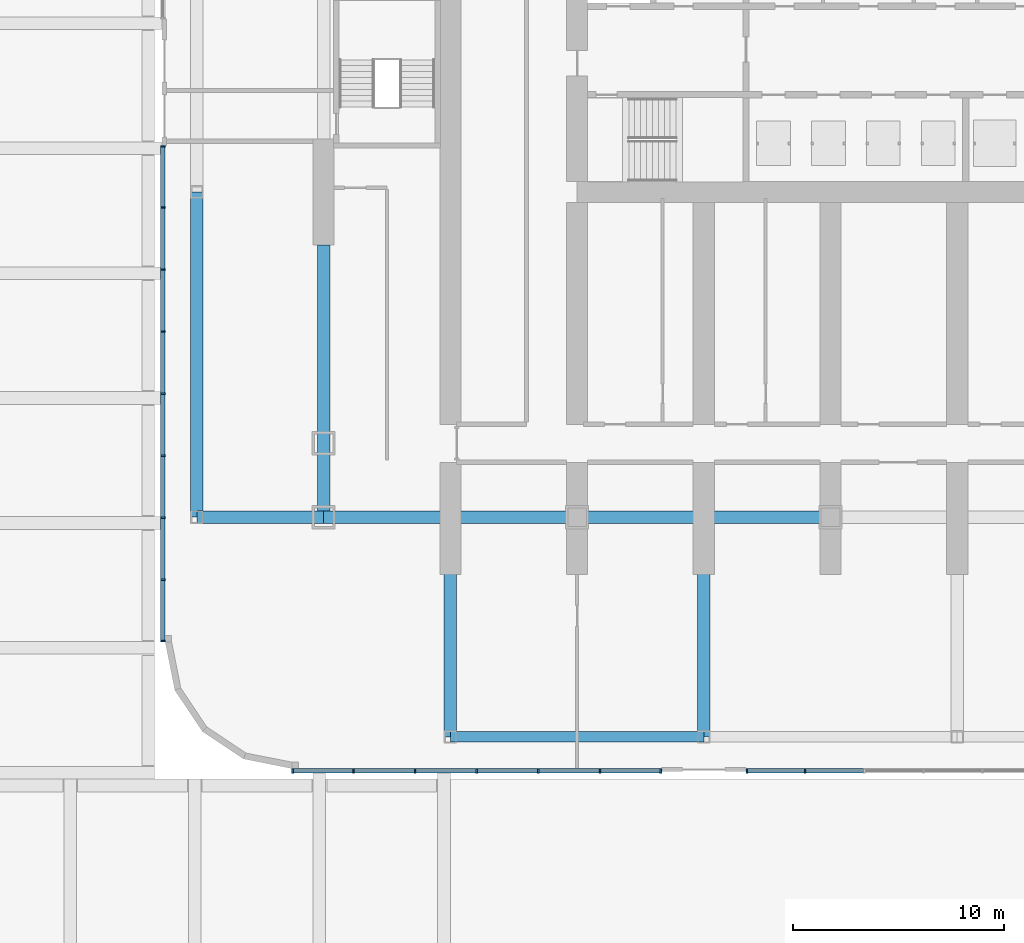
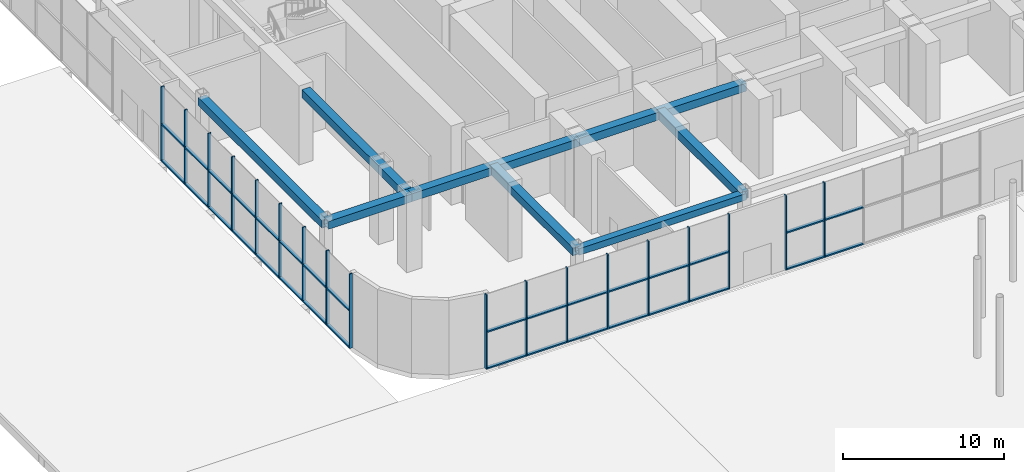
# One storey, part 7 of 57: 50 members, 8 beams, 3 elements without a shape of their own.
"""IFC4 building model written with IfcOpenShell, lengths in metres."""

from ifc_helpers import new_model, si_unit, direction, frame, origin, origin_2d, place, context, subcontext, project, spatial, rectangle, hollow_rectangle, extrude, material, material_profile, profile_set, type_object, element, aggregate, save


model = new_model("IFC4")

# Units and contexts
model_context = context("Model", 3, precision=1e-05, world=origin(), true_north=direction((0.0, 1.0)))
body_context = subcontext(model_context, "Body", "Model", "MODEL_VIEW")
ifc_project = project(units=[si_unit("LENGTHUNIT", "METRE"), si_unit("AREAUNIT", "SQUARE_METRE"), si_unit("VOLUMEUNIT", "CUBIC_METRE"), si_unit("PLANEANGLEUNIT", "RADIAN"), si_unit("MASSUNIT", "GRAM", prefix="KILO")], contexts=[model_context])

# Site, building, storey
site_placement = place(None, origin())
site = spatial("IfcSite", under=ifc_project, at=site_placement, CompositionType="ELEMENT")
building_placement = place(site_placement, origin())
building = spatial("IfcBuilding", under=site, at=building_placement, Name="Orbita Commons", CompositionType="ELEMENT")
storey_placement = place(building_placement, origin())
storey = spatial("IfcBuildingStorey", under=building, at=storey_placement, Name="L00", CompositionType="ELEMENT", Elevation=0.0)

# Curtain wall, members
ifc_material_1 = material(Name="Anodised aluminium frame, pale silver", Category="aluminium")
curtain_wall_type = type_object("IfcCurtainWallType", Name="Lobby curtain wall CW-L", PredefinedType="NOTDEFINED", material=ifc_material_1)
curtain_wall_1_placement = place(storey_placement, origin())
curtain_wall_1 = element("IfcCurtainWall", 1, at=curtain_wall_1_placement, inside=storey, type_object=curtain_wall_type, Name="Curtain wall S 1 L00", PredefinedType="NOTDEFINED")
ifc_material_2 = material(Name="Anodised aluminium, pale silver", Category="aluminium")
ifc_material_profile_1 = material_profile(ifc_material_2, rectangle(XDim=0.080078125, YDim=0.219970703125, at=origin_2d()), Name="AL 80x220")
ifc_profile_set_1 = profile_set([ifc_material_profile_1], Name="Anodised aluminium, pale silver")
member_type_1 = type_object("IfcMemberType", Name="Curtain wall mullion 80x220", PredefinedType="MULLION", material=ifc_profile_set_1)
member_1_placement = place(storey_placement, frame((4.5400390625, -1.610107421875, 0.0), z_axis=(0.0, 0.0, 1.0), x_axis=(1.0, 0.0, 0.0)))
member_1 = element("IfcMember", 2, at=member_1_placement, type_object=member_type_1, Name="Mullion 1 CW-L00-S0", PredefinedType="MULLION", context=body_context, shape_type="SweptSolid", body=[
    extrude(rectangle(XDim=0.080078125, YDim=0.219970703125, at=origin_2d()), origin(), (0.0, 0.0, 1.0), 5.64990234375),
])
member_2_placement = place(storey_placement, frame((7.416748046875, -1.610107421875, 0.0), z_axis=(0.0, 0.0, 1.0), x_axis=(1.0, 0.0, 0.0)))
member_2 = element("IfcMember", 3, at=member_2_placement, type_object=member_type_1, Name="Mullion 2 CW-L00-S0", PredefinedType="MULLION", context=body_context, shape_type="SweptSolid", body=[
    extrude(rectangle(XDim=0.080078125, YDim=0.219970703125, at=origin_2d()), origin(), (0.0, 0.0, 1.0), 5.64990234375),
])
member_3_placement = place(storey_placement, frame((10.333251953125, -1.610107421875, 0.0), z_axis=(0.0, 0.0, 1.0), x_axis=(1.0, 0.0, 0.0)))
member_3 = element("IfcMember", 4, at=member_3_placement, type_object=member_type_1, Name="Mullion 3 CW-L00-S0", PredefinedType="MULLION", context=body_context, shape_type="SweptSolid", body=[
    extrude(rectangle(XDim=0.080078125, YDim=0.219970703125, at=origin_2d()), origin(), (0.0, 0.0, 1.0), 5.64990234375),
])
member_4_placement = place(storey_placement, frame((13.25, -1.610107421875, 0.0), z_axis=(0.0, 0.0, 1.0), x_axis=(1.0, 0.0, 0.0)))
member_4 = element("IfcMember", 5, at=member_4_placement, type_object=member_type_1, Name="Mullion 4 CW-L00-S0", PredefinedType="MULLION", context=body_context, shape_type="SweptSolid", body=[
    extrude(rectangle(XDim=0.080078125, YDim=0.219970703125, at=origin_2d()), origin(), (0.0, 0.0, 1.0), 5.64990234375),
])
member_5_placement = place(storey_placement, frame((16.166748046875, -1.610107421875, 0.0), z_axis=(0.0, 0.0, 1.0), x_axis=(1.0, 0.0, 0.0)))
member_5 = element("IfcMember", 6, at=member_5_placement, type_object=member_type_1, Name="Mullion 5 CW-L00-S0", PredefinedType="MULLION", context=body_context, shape_type="SweptSolid", body=[
    extrude(rectangle(XDim=0.080078125, YDim=0.219970703125, at=origin_2d()), origin(), (0.0, 0.0, 1.0), 5.64990234375),
])
member_6_placement = place(storey_placement, frame((19.083251953125, -1.610107421875, 0.0), z_axis=(0.0, 0.0, 1.0), x_axis=(1.0, 0.0, 0.0)))
member_6 = element("IfcMember", 7, at=member_6_placement, type_object=member_type_1, Name="Mullion 6 CW-L00-S0", PredefinedType="MULLION", context=body_context, shape_type="SweptSolid", body=[
    extrude(rectangle(XDim=0.080078125, YDim=0.219970703125, at=origin_2d()), origin(), (0.0, 0.0, 1.0), 5.64990234375),
])
member_7_placement = place(storey_placement, frame((21.9599609375, -1.610107421875, 0.0), z_axis=(0.0, 0.0, 1.0), x_axis=(1.0, 0.0, 0.0)))
member_7 = element("IfcMember", 8, at=member_7_placement, type_object=member_type_1, Name="Mullion 7 CW-L00-S0", PredefinedType="MULLION", context=body_context, shape_type="SweptSolid", body=[
    extrude(rectangle(XDim=0.080078125, YDim=0.219970703125, at=origin_2d()), origin(), (0.0, 0.0, 1.0), 5.64990234375),
])

curtain_wall_2_placement = place(storey_placement, origin())
curtain_wall_2 = element("IfcCurtainWall", 9, at=curtain_wall_2_placement, inside=storey, type_object=curtain_wall_type, Name="Curtain wall S 2 L00", PredefinedType="NOTDEFINED")
member_8_placement = place(storey_placement, frame((26.0400390625, -1.610107421875, 0.0), z_axis=(0.0, 0.0, 1.0), x_axis=(1.0, 0.0, 0.0)))
member_8 = element("IfcMember", 10, at=member_8_placement, type_object=member_type_1, Name="Mullion 1 CW-L00-S1", PredefinedType="MULLION", context=body_context, shape_type="SweptSolid", body=[
    extrude(rectangle(XDim=0.080078125, YDim=0.219970703125, at=origin_2d()), origin(), (0.0, 0.0, 1.0), 5.64990234375),
])
member_9_placement = place(storey_placement, frame((28.800048828125, -1.610107421875, 0.0), z_axis=(0.0, 0.0, 1.0), x_axis=(1.0, 0.0, 0.0)))
member_9 = element("IfcMember", 11, at=member_9_placement, type_object=member_type_1, Name="Mullion 2 CW-L00-S1", PredefinedType="MULLION", context=body_context, shape_type="SweptSolid", body=[
    extrude(rectangle(XDim=0.080078125, YDim=0.219970703125, at=origin_2d()), origin(), (0.0, 0.0, 1.0), 5.64990234375),
])

curtain_wall_3_placement = place(storey_placement, origin())
curtain_wall_3 = element("IfcCurtainWall", 12, at=curtain_wall_3_placement, inside=storey, type_object=curtain_wall_type, Name="Curtain wall W 2 L00", PredefinedType="NOTDEFINED")
member_10_placement = place(storey_placement, frame((-1.610107421875, 27.9599609375, 0.0), z_axis=(0.0, 0.0, 1.0), x_axis=(0.0, -1.0, 0.0)))
member_10 = element("IfcMember", 13, at=member_10_placement, type_object=member_type_1, Name="Mullion 1 CW-L00-W1", PredefinedType="MULLION", context=body_context, shape_type="SweptSolid", body=[
    extrude(rectangle(XDim=0.080078125, YDim=0.219970703125, at=origin_2d()), origin(), (0.0, 0.0, 1.0), 5.64990234375),
])
member_11_placement = place(storey_placement, frame((-1.610107421875, 25.0625, 0.0), z_axis=(0.0, 0.0, 1.0), x_axis=(0.0, -1.0, 0.0)))
member_11 = element("IfcMember", 14, at=member_11_placement, type_object=member_type_1, Name="Mullion 2 CW-L00-W1", PredefinedType="MULLION", context=body_context, shape_type="SweptSolid", body=[
    extrude(rectangle(XDim=0.080078125, YDim=0.219970703125, at=origin_2d()), origin(), (0.0, 0.0, 1.0), 5.64990234375),
])
member_12_placement = place(storey_placement, frame((-1.610107421875, 22.125, 0.0), z_axis=(0.0, 0.0, 1.0), x_axis=(0.0, -1.0, 0.0)))
member_12 = element("IfcMember", 15, at=member_12_placement, type_object=member_type_1, Name="Mullion 3 CW-L00-W1", PredefinedType="MULLION", context=body_context, shape_type="SweptSolid", body=[
    extrude(rectangle(XDim=0.080078125, YDim=0.219970703125, at=origin_2d()), origin(), (0.0, 0.0, 1.0), 5.64990234375),
])
member_13_placement = place(storey_placement, frame((-1.610107421875, 19.1875, 0.0), z_axis=(0.0, 0.0, 1.0), x_axis=(0.0, -1.0, 0.0)))
member_13 = element("IfcMember", 16, at=member_13_placement, type_object=member_type_1, Name="Mullion 4 CW-L00-W1", PredefinedType="MULLION", context=body_context, shape_type="SweptSolid", body=[
    extrude(rectangle(XDim=0.080078125, YDim=0.219970703125, at=origin_2d()), origin(), (0.0, 0.0, 1.0), 5.64990234375),
])
member_14_placement = place(storey_placement, frame((-1.610107421875, 16.25, 0.0), z_axis=(0.0, 0.0, 1.0), x_axis=(0.0, -1.0, 0.0)))
member_14 = element("IfcMember", 17, at=member_14_placement, type_object=member_type_1, Name="Mullion 5 CW-L00-W1", PredefinedType="MULLION", context=body_context, shape_type="SweptSolid", body=[
    extrude(rectangle(XDim=0.080078125, YDim=0.219970703125, at=origin_2d()), origin(), (0.0, 0.0, 1.0), 5.64990234375),
])
member_15_placement = place(storey_placement, frame((-1.610107421875, 13.3125, 0.0), z_axis=(0.0, 0.0, 1.0), x_axis=(0.0, -1.0, 0.0)))
member_15 = element("IfcMember", 18, at=member_15_placement, type_object=member_type_1, Name="Mullion 6 CW-L00-W1", PredefinedType="MULLION", context=body_context, shape_type="SweptSolid", body=[
    extrude(rectangle(XDim=0.080078125, YDim=0.219970703125, at=origin_2d()), origin(), (0.0, 0.0, 1.0), 5.64990234375),
])
member_16_placement = place(storey_placement, frame((-1.610107421875, 10.375, 0.0), z_axis=(0.0, 0.0, 1.0), x_axis=(0.0, -1.0, 0.0)))
member_16 = element("IfcMember", 19, at=member_16_placement, type_object=member_type_1, Name="Mullion 7 CW-L00-W1", PredefinedType="MULLION", context=body_context, shape_type="SweptSolid", body=[
    extrude(rectangle(XDim=0.080078125, YDim=0.219970703125, at=origin_2d()), origin(), (0.0, 0.0, 1.0), 5.64990234375),
])
member_17_placement = place(storey_placement, frame((-1.610107421875, 7.4375, 0.0), z_axis=(0.0, 0.0, 1.0), x_axis=(0.0, -1.0, 0.0)))
member_17 = element("IfcMember", 20, at=member_17_placement, type_object=member_type_1, Name="Mullion 8 CW-L00-W1", PredefinedType="MULLION", context=body_context, shape_type="SweptSolid", body=[
    extrude(rectangle(XDim=0.080078125, YDim=0.219970703125, at=origin_2d()), origin(), (0.0, 0.0, 1.0), 5.64990234375),
])
member_18_placement = place(storey_placement, frame((-1.610107421875, 4.5400390625, 0.0), z_axis=(0.0, 0.0, 1.0), x_axis=(0.0, -1.0, 0.0)))
member_18 = element("IfcMember", 21, at=member_18_placement, type_object=member_type_1, Name="Mullion 9 CW-L00-W1", PredefinedType="MULLION", context=body_context, shape_type="SweptSolid", body=[
    extrude(rectangle(XDim=0.080078125, YDim=0.219970703125, at=origin_2d()), origin(), (0.0, 0.0, 1.0), 5.64990234375),
])

# Member
ifc_material_3 = material(Name="Anodised aluminium, pale silver", Category="aluminium")
ifc_material_profile_2 = material_profile(ifc_material_3, rectangle(XDim=0.219970703125, YDim=0.10009765625, at=origin_2d()), Name="AL 220x100")
ifc_profile_set_2 = profile_set([ifc_material_profile_2], Name="Anodised aluminium, pale silver")
member_type_2 = type_object("IfcMemberType", Name="Curtain wall stack transom 220x100", PredefinedType="USERDEFINED", material=ifc_profile_set_2)
member_19_placement = place(storey_placement, frame((4.580078125, -1.610107421875, 0.050048828125), z_axis=(1.0, 0.0, 0.0), x_axis=(0.0, 1.0, 0.0)))
member_19 = element("IfcMember", 22, at=member_19_placement, type_object=member_type_2, Name="Transom 1.1 CW-L00-S0", ObjectType="TRANSOM", PredefinedType="USERDEFINED", context=body_context, shape_type="SweptSolid", body=[
    extrude(rectangle(XDim=0.219970703125, YDim=0.10009765625, at=origin_2d()), origin(), (0.0, 0.0, 1.0), 2.796630859375),
])

member_20_placement = place(storey_placement, frame((4.580078125, -1.610107421875, 2.824951171875), z_axis=(1.0, 0.0, 0.0), x_axis=(0.0, 1.0, 0.0)))
member_20 = element("IfcMember", 23, at=member_20_placement, type_object=member_type_2, Name="Transom 1.2 CW-L00-S0", ObjectType="TRANSOM", PredefinedType="USERDEFINED", context=body_context, shape_type="SweptSolid", body=[
    extrude(rectangle(XDim=0.219970703125, YDim=0.10009765625, at=origin_2d()), origin(), (0.0, 0.0, 1.0), 2.796630859375),
])

member_21_placement = place(storey_placement, frame((7.456787109375, -1.610107421875, 0.050048828125), z_axis=(1.0, 0.0, 0.0), x_axis=(0.0, 1.0, 0.0)))
member_21 = element("IfcMember", 24, at=member_21_placement, type_object=member_type_2, Name="Transom 2.1 CW-L00-S0", ObjectType="TRANSOM", PredefinedType="USERDEFINED", context=body_context, shape_type="SweptSolid", body=[
    extrude(rectangle(XDim=0.219970703125, YDim=0.10009765625, at=origin_2d()), origin(), (0.0, 0.0, 1.0), 2.83642578125),
])

member_22_placement = place(storey_placement, frame((7.456787109375, -1.610107421875, 2.824951171875), z_axis=(1.0, 0.0, 0.0), x_axis=(0.0, 1.0, 0.0)))
member_22 = element("IfcMember", 25, at=member_22_placement, type_object=member_type_2, Name="Transom 2.2 CW-L00-S0", ObjectType="TRANSOM", PredefinedType="USERDEFINED", context=body_context, shape_type="SweptSolid", body=[
    extrude(rectangle(XDim=0.219970703125, YDim=0.10009765625, at=origin_2d()), origin(), (0.0, 0.0, 1.0), 2.83642578125),
])

member_23_placement = place(storey_placement, frame((10.373291015625, -1.610107421875, 0.050048828125), z_axis=(1.0, 0.0, 0.0), x_axis=(0.0, 1.0, 0.0)))
member_23 = element("IfcMember", 26, at=member_23_placement, type_object=member_type_2, Name="Transom 3.1 CW-L00-S0", ObjectType="TRANSOM", PredefinedType="USERDEFINED", context=body_context, shape_type="SweptSolid", body=[
    extrude(rectangle(XDim=0.219970703125, YDim=0.10009765625, at=origin_2d()), origin(), (0.0, 0.0, 1.0), 2.836669921875),
])

member_24_placement = place(storey_placement, frame((10.373291015625, -1.610107421875, 2.824951171875), z_axis=(1.0, 0.0, 0.0), x_axis=(0.0, 1.0, 0.0)))
member_24 = element("IfcMember", 27, at=member_24_placement, type_object=member_type_2, Name="Transom 3.2 CW-L00-S0", ObjectType="TRANSOM", PredefinedType="USERDEFINED", context=body_context, shape_type="SweptSolid", body=[
    extrude(rectangle(XDim=0.219970703125, YDim=0.10009765625, at=origin_2d()), origin(), (0.0, 0.0, 1.0), 2.836669921875),
])

member_25_placement = place(storey_placement, frame((13.2900390625, -1.610107421875, 0.050048828125), z_axis=(1.0, 0.0, 0.0), x_axis=(0.0, 1.0, 0.0)))
member_25 = element("IfcMember", 28, at=member_25_placement, type_object=member_type_2, Name="Transom 4.1 CW-L00-S0", ObjectType="TRANSOM", PredefinedType="USERDEFINED", context=body_context, shape_type="SweptSolid", body=[
    extrude(rectangle(XDim=0.219970703125, YDim=0.10009765625, at=origin_2d()), origin(), (0.0, 0.0, 1.0), 2.836669921875),
])

member_26_placement = place(storey_placement, frame((13.2900390625, -1.610107421875, 2.824951171875), z_axis=(1.0, 0.0, 0.0), x_axis=(0.0, 1.0, 0.0)))
member_26 = element("IfcMember", 29, at=member_26_placement, type_object=member_type_2, Name="Transom 4.2 CW-L00-S0", ObjectType="TRANSOM", PredefinedType="USERDEFINED", context=body_context, shape_type="SweptSolid", body=[
    extrude(rectangle(XDim=0.219970703125, YDim=0.10009765625, at=origin_2d()), origin(), (0.0, 0.0, 1.0), 2.836669921875),
])

member_27_placement = place(storey_placement, frame((16.206787109375, -1.610107421875, 0.050048828125), z_axis=(1.0, 0.0, 0.0), x_axis=(0.0, 1.0, 0.0)))
member_27 = element("IfcMember", 30, at=member_27_placement, type_object=member_type_2, Name="Transom 5.1 CW-L00-S0", ObjectType="TRANSOM", PredefinedType="USERDEFINED", context=body_context, shape_type="SweptSolid", body=[
    extrude(rectangle(XDim=0.219970703125, YDim=0.10009765625, at=origin_2d()), origin(), (0.0, 0.0, 1.0), 2.83642578125),
])

member_28_placement = place(storey_placement, frame((16.206787109375, -1.610107421875, 2.824951171875), z_axis=(1.0, 0.0, 0.0), x_axis=(0.0, 1.0, 0.0)))
member_28 = element("IfcMember", 31, at=member_28_placement, type_object=member_type_2, Name="Transom 5.2 CW-L00-S0", ObjectType="TRANSOM", PredefinedType="USERDEFINED", context=body_context, shape_type="SweptSolid", body=[
    extrude(rectangle(XDim=0.219970703125, YDim=0.10009765625, at=origin_2d()), origin(), (0.0, 0.0, 1.0), 2.83642578125),
])

member_29_placement = place(storey_placement, frame((19.123291015625, -1.610107421875, 0.050048828125), z_axis=(1.0, 0.0, 0.0), x_axis=(0.0, 1.0, 0.0)))
member_29 = element("IfcMember", 32, at=member_29_placement, type_object=member_type_2, Name="Transom 6.1 CW-L00-S0", ObjectType="TRANSOM", PredefinedType="USERDEFINED", context=body_context, shape_type="SweptSolid", body=[
    extrude(rectangle(XDim=0.219970703125, YDim=0.10009765625, at=origin_2d()), origin(), (0.0, 0.0, 1.0), 2.796630859375),
])

member_30_placement = place(storey_placement, frame((19.123291015625, -1.610107421875, 2.824951171875), z_axis=(1.0, 0.0, 0.0), x_axis=(0.0, 1.0, 0.0)))
member_30 = element("IfcMember", 33, at=member_30_placement, type_object=member_type_2, Name="Transom 6.2 CW-L00-S0", ObjectType="TRANSOM", PredefinedType="USERDEFINED", context=body_context, shape_type="SweptSolid", body=[
    extrude(rectangle(XDim=0.219970703125, YDim=0.10009765625, at=origin_2d()), origin(), (0.0, 0.0, 1.0), 2.796630859375),
])

aggregate(curtain_wall_1, [member_1, member_2, member_3, member_4, member_5, member_6, member_7, member_19, member_20, member_21, member_22, member_23, member_24, member_25, member_26, member_27, member_28, member_29, member_30])

member_31_placement = place(storey_placement, frame((26.080078125, -1.610107421875, 0.050048828125), z_axis=(1.0, 0.0, 0.0), x_axis=(0.0, 1.0, 0.0)))
member_31 = element("IfcMember", 34, at=member_31_placement, type_object=member_type_2, Name="Transom 1.1 CW-L00-S1", ObjectType="TRANSOM", PredefinedType="USERDEFINED", context=body_context, shape_type="SweptSolid", body=[
    extrude(rectangle(XDim=0.219970703125, YDim=0.10009765625, at=origin_2d()), origin(), (0.0, 0.0, 1.0), 2.679931640625),
])

member_32_placement = place(storey_placement, frame((26.080078125, -1.610107421875, 2.824951171875), z_axis=(1.0, 0.0, 0.0), x_axis=(0.0, 1.0, 0.0)))
member_32 = element("IfcMember", 35, at=member_32_placement, type_object=member_type_2, Name="Transom 1.2 CW-L00-S1", ObjectType="TRANSOM", PredefinedType="USERDEFINED", context=body_context, shape_type="SweptSolid", body=[
    extrude(rectangle(XDim=0.219970703125, YDim=0.10009765625, at=origin_2d()), origin(), (0.0, 0.0, 1.0), 2.679931640625),
])

member_33_placement = place(storey_placement, frame((28.840087890625, -1.610107421875, 0.050048828125), z_axis=(1.0, 0.0, 0.0), x_axis=(0.0, 1.0, 0.0)))
member_33 = element("IfcMember", 36, at=member_33_placement, type_object=member_type_2, Name="Transom 2.1 CW-L00-S1", ObjectType="TRANSOM", PredefinedType="USERDEFINED", context=body_context, shape_type="SweptSolid", body=[
    extrude(rectangle(XDim=0.219970703125, YDim=0.10009765625, at=origin_2d()), origin(), (0.0, 0.0, 1.0), 2.719970703125),
])

member_34_placement = place(storey_placement, frame((28.840087890625, -1.610107421875, 2.824951171875), z_axis=(1.0, 0.0, 0.0), x_axis=(0.0, 1.0, 0.0)))
member_34 = element("IfcMember", 37, at=member_34_placement, type_object=member_type_2, Name="Transom 2.2 CW-L00-S1", ObjectType="TRANSOM", PredefinedType="USERDEFINED", context=body_context, shape_type="SweptSolid", body=[
    extrude(rectangle(XDim=0.219970703125, YDim=0.10009765625, at=origin_2d()), origin(), (0.0, 0.0, 1.0), 2.719970703125),
])

aggregate(curtain_wall_2, [member_8, member_9, member_31, member_32, member_33, member_34])

member_35_placement = place(storey_placement, frame((-1.610107421875, 27.919921875, 0.050048828125), z_axis=(0.0, -1.0, 0.0), x_axis=(1.0, 0.0, 0.0)))
member_35 = element("IfcMember", 38, at=member_35_placement, type_object=member_type_2, Name="Transom 1.1 CW-L00-W1", ObjectType="TRANSOM", PredefinedType="USERDEFINED", context=body_context, shape_type="SweptSolid", body=[
    extrude(rectangle(XDim=0.219970703125, YDim=0.10009765625, at=origin_2d()), origin(), (0.0, 0.0, 1.0), 2.8173828125),
])

member_36_placement = place(storey_placement, frame((-1.610107421875, 27.919921875, 2.824951171875), z_axis=(0.0, -1.0, 0.0), x_axis=(1.0, 0.0, 0.0)))
member_36 = element("IfcMember", 39, at=member_36_placement, type_object=member_type_2, Name="Transom 1.2 CW-L00-W1", ObjectType="TRANSOM", PredefinedType="USERDEFINED", context=body_context, shape_type="SweptSolid", body=[
    extrude(rectangle(XDim=0.219970703125, YDim=0.10009765625, at=origin_2d()), origin(), (0.0, 0.0, 1.0), 2.8173828125),
])

member_37_placement = place(storey_placement, frame((-1.610107421875, 25.0224609375, 0.050048828125), z_axis=(0.0, -1.0, 0.0), x_axis=(1.0, 0.0, 0.0)))
member_37 = element("IfcMember", 40, at=member_37_placement, type_object=member_type_2, Name="Transom 2.1 CW-L00-W1", ObjectType="TRANSOM", PredefinedType="USERDEFINED", context=body_context, shape_type="SweptSolid", body=[
    extrude(rectangle(XDim=0.219970703125, YDim=0.10009765625, at=origin_2d()), origin(), (0.0, 0.0, 1.0), 2.857421875),
])

member_38_placement = place(storey_placement, frame((-1.610107421875, 25.0224609375, 2.824951171875), z_axis=(0.0, -1.0, 0.0), x_axis=(1.0, 0.0, 0.0)))
member_38 = element("IfcMember", 41, at=member_38_placement, type_object=member_type_2, Name="Transom 2.2 CW-L00-W1", ObjectType="TRANSOM", PredefinedType="USERDEFINED", context=body_context, shape_type="SweptSolid", body=[
    extrude(rectangle(XDim=0.219970703125, YDim=0.10009765625, at=origin_2d()), origin(), (0.0, 0.0, 1.0), 2.857421875),
])

member_39_placement = place(storey_placement, frame((-1.610107421875, 22.0849609375, 0.050048828125), z_axis=(0.0, -1.0, 0.0), x_axis=(1.0, 0.0, 0.0)))
member_39 = element("IfcMember", 42, at=member_39_placement, type_object=member_type_2, Name="Transom 3.1 CW-L00-W1", ObjectType="TRANSOM", PredefinedType="USERDEFINED", context=body_context, shape_type="SweptSolid", body=[
    extrude(rectangle(XDim=0.219970703125, YDim=0.10009765625, at=origin_2d()), origin(), (0.0, 0.0, 1.0), 2.857421875),
])

member_40_placement = place(storey_placement, frame((-1.610107421875, 22.0849609375, 2.824951171875), z_axis=(0.0, -1.0, 0.0), x_axis=(1.0, 0.0, 0.0)))
member_40 = element("IfcMember", 43, at=member_40_placement, type_object=member_type_2, Name="Transom 3.2 CW-L00-W1", ObjectType="TRANSOM", PredefinedType="USERDEFINED", context=body_context, shape_type="SweptSolid", body=[
    extrude(rectangle(XDim=0.219970703125, YDim=0.10009765625, at=origin_2d()), origin(), (0.0, 0.0, 1.0), 2.857421875),
])

member_41_placement = place(storey_placement, frame((-1.610107421875, 19.1474609375, 0.050048828125), z_axis=(0.0, -1.0, 0.0), x_axis=(1.0, 0.0, 0.0)))
member_41 = element("IfcMember", 44, at=member_41_placement, type_object=member_type_2, Name="Transom 4.1 CW-L00-W1", ObjectType="TRANSOM", PredefinedType="USERDEFINED", context=body_context, shape_type="SweptSolid", body=[
    extrude(rectangle(XDim=0.219970703125, YDim=0.10009765625, at=origin_2d()), origin(), (0.0, 0.0, 1.0), 2.857421875),
])

member_42_placement = place(storey_placement, frame((-1.610107421875, 19.1474609375, 2.824951171875), z_axis=(0.0, -1.0, 0.0), x_axis=(1.0, 0.0, 0.0)))
member_42 = element("IfcMember", 45, at=member_42_placement, type_object=member_type_2, Name="Transom 4.2 CW-L00-W1", ObjectType="TRANSOM", PredefinedType="USERDEFINED", context=body_context, shape_type="SweptSolid", body=[
    extrude(rectangle(XDim=0.219970703125, YDim=0.10009765625, at=origin_2d()), origin(), (0.0, 0.0, 1.0), 2.857421875),
])

member_43_placement = place(storey_placement, frame((-1.610107421875, 16.2099609375, 0.050048828125), z_axis=(0.0, -1.0, 0.0), x_axis=(1.0, 0.0, 0.0)))
member_43 = element("IfcMember", 46, at=member_43_placement, type_object=member_type_2, Name="Transom 5.1 CW-L00-W1", ObjectType="TRANSOM", PredefinedType="USERDEFINED", context=body_context, shape_type="SweptSolid", body=[
    extrude(rectangle(XDim=0.219970703125, YDim=0.10009765625, at=origin_2d()), origin(), (0.0, 0.0, 1.0), 2.857421875),
])

member_44_placement = place(storey_placement, frame((-1.610107421875, 16.2099609375, 2.824951171875), z_axis=(0.0, -1.0, 0.0), x_axis=(1.0, 0.0, 0.0)))
member_44 = element("IfcMember", 47, at=member_44_placement, type_object=member_type_2, Name="Transom 5.2 CW-L00-W1", ObjectType="TRANSOM", PredefinedType="USERDEFINED", context=body_context, shape_type="SweptSolid", body=[
    extrude(rectangle(XDim=0.219970703125, YDim=0.10009765625, at=origin_2d()), origin(), (0.0, 0.0, 1.0), 2.857421875),
])

member_45_placement = place(storey_placement, frame((-1.610107421875, 13.2724609375, 0.050048828125), z_axis=(0.0, -1.0, 0.0), x_axis=(1.0, 0.0, 0.0)))
member_45 = element("IfcMember", 48, at=member_45_placement, type_object=member_type_2, Name="Transom 6.1 CW-L00-W1", ObjectType="TRANSOM", PredefinedType="USERDEFINED", context=body_context, shape_type="SweptSolid", body=[
    extrude(rectangle(XDim=0.219970703125, YDim=0.10009765625, at=origin_2d()), origin(), (0.0, 0.0, 1.0), 2.857421875),
])

member_46_placement = place(storey_placement, frame((-1.610107421875, 13.2724609375, 2.824951171875), z_axis=(0.0, -1.0, 0.0), x_axis=(1.0, 0.0, 0.0)))
member_46 = element("IfcMember", 49, at=member_46_placement, type_object=member_type_2, Name="Transom 6.2 CW-L00-W1", ObjectType="TRANSOM", PredefinedType="USERDEFINED", context=body_context, shape_type="SweptSolid", body=[
    extrude(rectangle(XDim=0.219970703125, YDim=0.10009765625, at=origin_2d()), origin(), (0.0, 0.0, 1.0), 2.857421875),
])

member_47_placement = place(storey_placement, frame((-1.610107421875, 10.3349609375, 0.050048828125), z_axis=(0.0, -1.0, 0.0), x_axis=(1.0, 0.0, 0.0)))
member_47 = element("IfcMember", 50, at=member_47_placement, type_object=member_type_2, Name="Transom 7.1 CW-L00-W1", ObjectType="TRANSOM", PredefinedType="USERDEFINED", context=body_context, shape_type="SweptSolid", body=[
    extrude(rectangle(XDim=0.219970703125, YDim=0.10009765625, at=origin_2d()), origin(), (0.0, 0.0, 1.0), 2.857421875),
])

member_48_placement = place(storey_placement, frame((-1.610107421875, 10.3349609375, 2.824951171875), z_axis=(0.0, -1.0, 0.0), x_axis=(1.0, 0.0, 0.0)))
member_48 = element("IfcMember", 51, at=member_48_placement, type_object=member_type_2, Name="Transom 7.2 CW-L00-W1", ObjectType="TRANSOM", PredefinedType="USERDEFINED", context=body_context, shape_type="SweptSolid", body=[
    extrude(rectangle(XDim=0.219970703125, YDim=0.10009765625, at=origin_2d()), origin(), (0.0, 0.0, 1.0), 2.857421875),
])

member_49_placement = place(storey_placement, frame((-1.610107421875, 7.3974609375, 0.050048828125), z_axis=(0.0, -1.0, 0.0), x_axis=(1.0, 0.0, 0.0)))
member_49 = element("IfcMember", 52, at=member_49_placement, type_object=member_type_2, Name="Transom 8.1 CW-L00-W1", ObjectType="TRANSOM", PredefinedType="USERDEFINED", context=body_context, shape_type="SweptSolid", body=[
    extrude(rectangle(XDim=0.219970703125, YDim=0.10009765625, at=origin_2d()), origin(), (0.0, 0.0, 1.0), 2.8173828125),
])

member_50_placement = place(storey_placement, frame((-1.610107421875, 7.3974609375, 2.824951171875), z_axis=(0.0, -1.0, 0.0), x_axis=(1.0, 0.0, 0.0)))
member_50 = element("IfcMember", 53, at=member_50_placement, type_object=member_type_2, Name="Transom 8.2 CW-L00-W1", ObjectType="TRANSOM", PredefinedType="USERDEFINED", context=body_context, shape_type="SweptSolid", body=[
    extrude(rectangle(XDim=0.219970703125, YDim=0.10009765625, at=origin_2d()), origin(), (0.0, 0.0, 1.0), 2.8173828125),
])

aggregate(curtain_wall_3, [member_10, member_11, member_12, member_13, member_14, member_15, member_16, member_17, member_18, member_35, member_36, member_37, member_38, member_39, member_40, member_41, member_42, member_43, member_44, member_45, member_46, member_47, member_48, member_49, member_50])

# Beams
ifc_material_4 = material(Name="Steel ASTM A572 Gr 50 welded plate", Category="steel")
ifc_material_profile_3 = material_profile(ifc_material_4, hollow_rectangle(XDim=0.5, YDim=0.5, WallThickness=0.050048828125, at=origin_2d()), Name="BOX 500x500x50")
ifc_profile_set_3 = profile_set([ifc_material_profile_3], Name="Steel ASTM A572 Gr 50 welded plate")
beam_type_1 = type_object("IfcBeamType", Name="Steel edge beam BOX 500x500x50", PredefinedType="SPANDREL", material=ifc_profile_set_3)
beam_1_placement = place(storey_placement, frame((12.0, 0.0, 5.39990234375), z_axis=(1.0, 0.0, 0.0), x_axis=(0.0, 1.0, 0.0)))
element("IfcBeam", 54, at=beam_1_placement, inside=storey, type_object=beam_type_1, Name="Edge beam A 3-5 L00", PredefinedType="SPANDREL", context=body_context, shape_type="SweptSolid", body=[
    extrude(hollow_rectangle(XDim=0.5, YDim=0.5, WallThickness=0.050048828125, at=origin_2d()), origin(), (0.0, 0.0, 1.0), 12.0),
])
ifc_material_5 = material(Name="Steel ASTM A572 Gr 50 welded plate", Category="steel")
ifc_material_profile_4 = material_profile(ifc_material_5, hollow_rectangle(XDim=0.60009765625, YDim=0.60009765625, WallThickness=0.06005859375, at=origin_2d()), Name="BOX 600x600x60")
ifc_profile_set_4 = profile_set([ifc_material_profile_4], Name="Steel ASTM A572 Gr 50 welded plate")
beam_type_2 = type_object("IfcBeamType", Name="Steel podium beam BOX 600x600x60", PredefinedType="BEAM", material=ifc_profile_set_4)
beam_2_placement = place(storey_placement, frame((0.0, 10.39990234375, 5.35009765625), z_axis=(1.0, 0.0, 0.0), x_axis=(0.0, 1.0, 0.0)))
element("IfcBeam", 55, at=beam_2_placement, inside=storey, type_object=beam_type_2, Name="Podium beam B 1-2 L00", PredefinedType="BEAM", context=body_context, shape_type="SweptSolid", body=[
    extrude(hollow_rectangle(XDim=0.60009765625, YDim=0.60009765625, WallThickness=0.06005859375, at=origin_2d()), origin(), (0.0, 0.0, 1.0), 6.0),
])
for number, where, z_axis, x_axis, name in (
    (56, (6.0, 10.39990234375, 5.35009765625), (1.0, 0.0, 0.0), (0.0, 1.0, 0.0), "Podium beam B 2-4 L00"),
    (57, (18.0, 10.39990234375, 5.35009765625), (1.0, 0.0, 0.0), (0.0, 1.0, 0.0), "Podium beam B 4-6 L00"),
):
    element("IfcBeam", number, at=place(storey_placement, frame(where, z_axis=z_axis, x_axis=x_axis)), inside=storey, type_object=beam_type_2, Name=name, PredefinedType="BEAM", context=body_context, shape_type="SweptSolid", body=[
        extrude(hollow_rectangle(XDim=0.60009765625, YDim=0.60009765625, WallThickness=0.06005859375, at=origin_2d()), origin(), (0.0, 0.0, 1.0), 12.0),
    ])
for number, where, z_axis, x_axis, name in (
    (58, (12.0, 0.0, 5.35009765625), (0.0, 1.0, 0.0), (-1.0, 0.0, 0.0), "Podium beam 3 A-B L00"),
    (59, (24.0, 0.0, 5.35009765625), (0.0, 1.0, 0.0), (-1.0, 0.0, 0.0), "Podium beam 5 A-B L00"),
):
    element("IfcBeam", number, at=place(storey_placement, frame(where, z_axis=z_axis, x_axis=x_axis)), inside=storey, type_object=beam_type_2, Name=name, PredefinedType="BEAM", context=body_context, shape_type="SweptSolid", body=[
        extrude(hollow_rectangle(XDim=0.60009765625, YDim=0.60009765625, WallThickness=0.06005859375, at=origin_2d()), origin(), (0.0, 0.0, 1.0), 10.39990234375),
    ])
beam_3_placement = place(storey_placement, frame((0.0, 10.39990234375, 5.35009765625), z_axis=(0.0, 1.0, 0.0), x_axis=(-1.0, 0.0, 0.0)))
element("IfcBeam", 60, at=beam_3_placement, inside=storey, type_object=beam_type_2, Name="Podium beam 1 B-C L00", PredefinedType="BEAM", context=body_context, shape_type="SweptSolid", body=[
    extrude(hollow_rectangle(XDim=0.60009765625, YDim=0.60009765625, WallThickness=0.06005859375, at=origin_2d()), origin(), (0.0, 0.0, 1.0), 15.400146484375),
])
beam_4_placement = place(storey_placement, frame((6.0, 10.39990234375, 5.35009765625), z_axis=(0.0, 1.0, 0.0), x_axis=(-1.0, 0.0, 0.0)))
element("IfcBeam", 61, at=beam_4_placement, inside=storey, type_object=beam_type_2, Name="Podium beam 2 B-C L00", PredefinedType="BEAM", context=body_context, shape_type="SweptSolid", body=[
    extrude(hollow_rectangle(XDim=0.60009765625, YDim=0.60009765625, WallThickness=0.06005859375, at=origin_2d()), origin(), (0.0, 0.0, 1.0), 12.900146484375),
])

save(model, "model.ifc")
